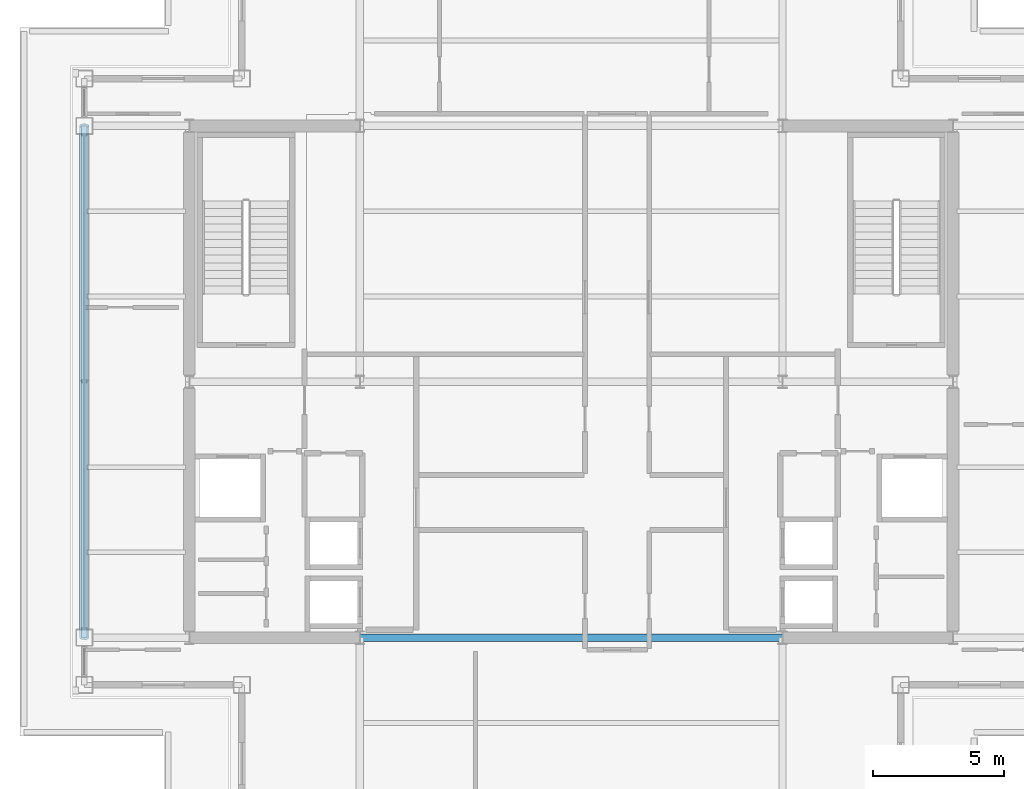
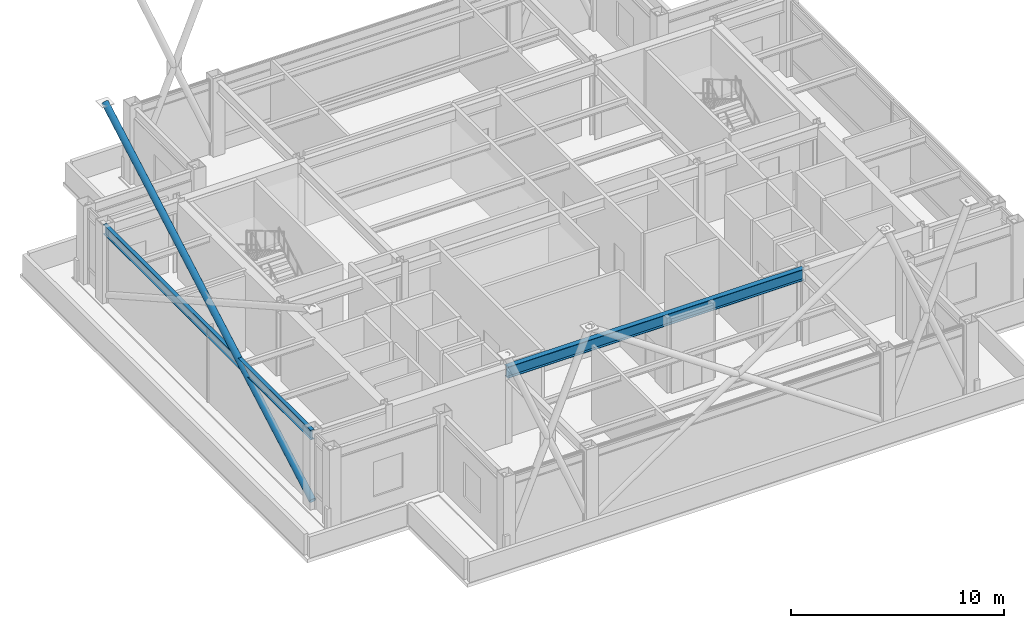
# One storey, part 5 of 19: 2 beams, 1 member.
"""IFC4 building model written with IfcOpenShell, lengths in metres."""

from ifc_helpers import new_model, si_unit, direction, frame, origin, origin_2d, place, context, subcontext, project, spatial, hollow_circle, i_section, extrude, material, material_profile, profile_set, type_object, element, save


model = new_model("IFC4")

# Units and contexts
model_context = context("Model", 3, precision=1e-05, world=origin(), true_north=direction((0.0, 1.0)))
body_context = subcontext(model_context, "Body", "Model", "MODEL_VIEW")
ifc_project = project(units=[si_unit("LENGTHUNIT", "METRE"), si_unit("AREAUNIT", "SQUARE_METRE"), si_unit("VOLUMEUNIT", "CUBIC_METRE"), si_unit("PLANEANGLEUNIT", "RADIAN"), si_unit("MASSUNIT", "GRAM", prefix="KILO")], contexts=[model_context])

# Site, building, storey
site_placement = place(None, origin())
site = spatial("IfcSite", under=ifc_project, at=site_placement, CompositionType="ELEMENT")
building_placement = place(site_placement, origin())
building = spatial("IfcBuilding", under=site, at=building_placement, Name="Brelmoor Portico Tower", CompositionType="ELEMENT")
storey_placement = place(building_placement, frame((0.0, 0.0, 213.89990234375)))
storey = spatial("IfcBuildingStorey", under=building, at=storey_placement, Name="L56", CompositionType="ELEMENT", Elevation=213.89990234375)

# Beams
ifc_material = material(Name="Steel Q355B", Category="steel")
ifc_material_profile_1 = material_profile(ifc_material, i_section(OverallWidth=0.280029296875, OverallDepth=0.64990234375, WebThickness=0.012939453125, FlangeThickness=0.02197265625, at=origin_2d()), Name="HN 650x280x13x22")
ifc_profile_set_1 = profile_set([ifc_material_profile_1], Name="Steel Q355B")
beam_type_1 = type_object("IfcBeamType", Name="BM-PG-650", PredefinedType="BEAM", material=ifc_profile_set_1)
beam_1_placement = place(storey_placement, frame((-8.050048828125, -9.75, 3.97509765625), z_axis=(1.0, 0.0, 0.0), x_axis=(0.0, 1.0, 0.0)))
element("IfcBeam", 1, at=beam_1_placement, inside=storey, type_object=beam_type_1, Name="L56 Primary Floor Girder PG-13", PredefinedType="BEAM", context=body_context, shape_type="SweptSolid", body=[
    extrude(i_section(OverallWidth=0.280029296875, OverallDepth=0.64990234375, WebThickness=0.012939453125, FlangeThickness=0.02197265625, at=origin_2d()), origin(), (0.0, 0.0, 1.0), 16.10009765625),
])
ifc_material_profile_2 = material_profile(ifc_material, i_section(OverallWidth=0.199951171875, OverallDepth=0.550048828125, WebThickness=0.010009765625, FlangeThickness=0.01611328125, at=origin_2d()), Name="HN 550x200x10x16")
ifc_profile_set_2 = profile_set([ifc_material_profile_2], Name="Steel Q355B")
beam_type_2 = type_object("IfcBeamType", Name="BM-SP-550", PredefinedType="SPANDREL", material=ifc_profile_set_2)
beam_2_placement = place(storey_placement, frame((-18.550048828125, -9.75, 4.025146484375), z_axis=(0.0, 1.0, 0.0), x_axis=(-1.0, 0.0, 0.0)))
element("IfcBeam", 2, at=beam_2_placement, inside=storey, type_object=beam_type_2, Name="L56 Perimeter Spandrel Beam SP-12", PredefinedType="SPANDREL", context=body_context, shape_type="SweptSolid", body=[
    extrude(i_section(OverallWidth=0.199951171875, OverallDepth=0.550048828125, WebThickness=0.010009765625, FlangeThickness=0.01611328125, at=origin_2d()), origin(), (0.0, 0.0, 1.0), 19.5),
])

# Member
ifc_material_profile_3 = material_profile(ifc_material, hollow_circle(Radius=0.177978515625, WallThickness=0.01611328125, at=origin_2d()), Name="CHS 356x16")
ifc_profile_set_3 = profile_set([ifc_material_profile_3], Name="Steel Q355B")
member_type = type_object("IfcMemberType", Name="MB-BELT-DIAG2", PredefinedType="BRACE", material=ifc_profile_set_3)
member_placement = place(storey_placement, frame((-18.550048828125, -9.75, 0.25), z_axis=(0.0, 0.870978467743, 0.491321186932), x_axis=(-1.0, 0.0, 0.0)))
element("IfcMember", 3, at=member_placement, inside=storey, type_object=member_type, Name="L56 Continuous Mega-X Brace 132A", PredefinedType="BRACE", context=body_context, shape_type="SweptSolid", body=[
    extrude(hollow_circle(Radius=0.177978515625, WallThickness=0.01611328125, at=origin_2d()), origin(), (0.0, 0.0, 1.0), 22.388671875),
])

save(model, "model.ifc")
